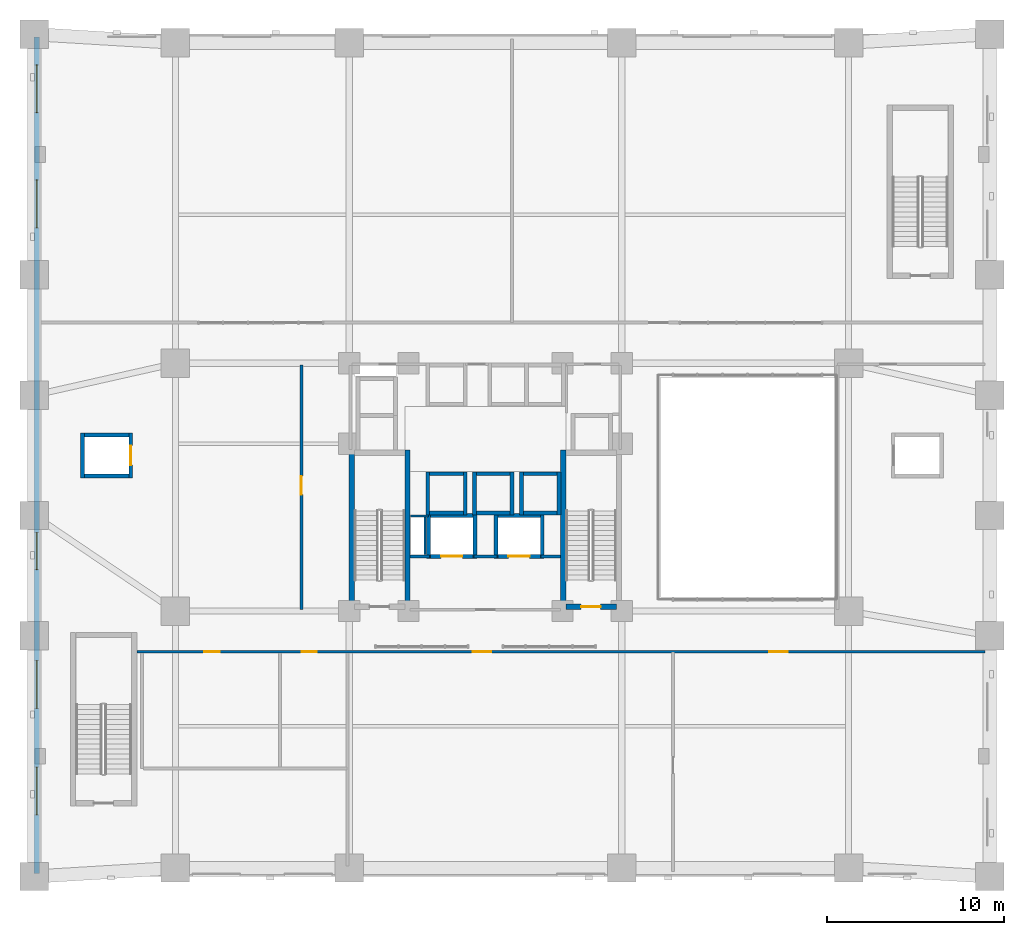
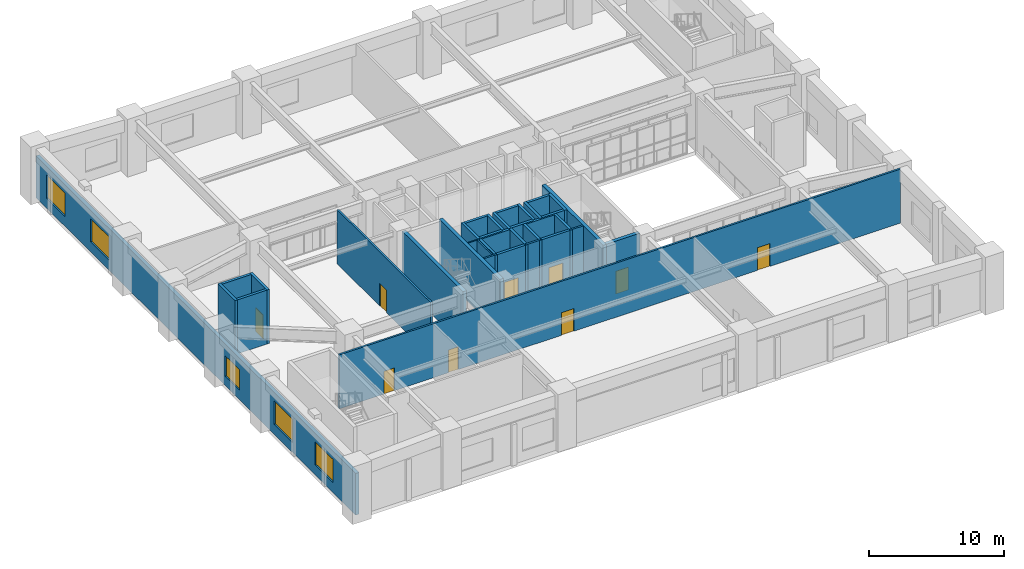
# One storey, part 8 of 14: 36 walls, 9 doors, 5 windows, 14 openings.
"""IFC4 building model written with IfcOpenShell, lengths in metres."""

import ifcopenshell
import ifcopenshell.guid

model = None  # the IFC model being written
_history = None  # IfcOwnerHistory: only IFC2X3 demands one
_inside = {}  # id of a spatial element -> (the spatial element, [elements in it])
_under = {}  # id of a project, library or spatial element -> (it, [spatial elements below it])
_declared = {}  # id of a project -> (the project, [libraries it declares])
_typed = {}  # id of a type object -> (the type object, [elements of that type])
_made_of = {}  # id of a material, layer set ... -> (it, [elements and type objects made of it])


def new_model(schema):
    """Start an empty IFC model of exactly this schema.

    Asked for "IFC4X3", IfcOpenShell would pick the latest addendum, in which some entities
    have other attributes; the version numbers below select the first issue.
    IFC2X3 requires an IfcOwnerHistory on every rooted entity: one is made here for all.
    """
    global model, _history
    if schema == "IFC4X3":
        model = ifcopenshell.file(schema_version=(4, 3, 0, 0))
    else:
        model = ifcopenshell.file(schema=schema)
    _inside.clear()
    _under.clear()
    _declared.clear()
    _typed.clear()
    _made_of.clear()
    _history = None
    if model.schema == "IFC2X3":
        org = make("IfcOrganization", Name="unknown")
        user = make(
            "IfcPersonAndOrganization",
            ThePerson=make("IfcPerson", FamilyName="unknown"),
            TheOrganization=org,
        )
        app = make(
            "IfcApplication",
            ApplicationDeveloper=org,
            Version="unknown",
            ApplicationFullName="unknown",
            ApplicationIdentifier="unknown",
        )
        _history = make(
            "IfcOwnerHistory",
            OwningUser=user,
            OwningApplication=app,
            ChangeAction="ADDED",
            CreationDate=0,
        )
    return model


def make(cls, **values):
    """One entity of the class cls with the attributes given. An attribute that is None is left unset."""
    return model.create_entity(
        cls, **{name: value for name, value in values.items() if value is not None}
    )


def rooted(cls, **values):
    """An entity with a GlobalId (a new one), such as an element, a storey or a relation."""
    return make(cls, GlobalId=ifcopenshell.guid.new(), OwnerHistory=_history, **values)


def si_unit(unit_type, name, prefix=None):
    """IfcSIUnit, for example si_unit("LENGTHUNIT", "METRE", prefix="MILLI")."""
    return make("IfcSIUnit", UnitType=unit_type, Prefix=prefix, Name=name)


def derived_unit(unit_type, elements):
    """IfcDerivedUnit: a product of units, each with its exponent."""
    return make(
        "IfcDerivedUnit",
        Elements=[
            make("IfcDerivedUnitElement", Unit=unit, Exponent=power)
            for unit, power in elements
        ],
        UnitType=unit_type,
    )


def assignment(units):
    """IfcUnitAssignment: the units of a project."""
    return None if units is None else make("IfcUnitAssignment", Units=units)


def point(xyz):
    """IfcCartesianPoint."""
    return None if xyz is None else make("IfcCartesianPoint", Coordinates=xyz)


def direction(xyz):
    """IfcDirection."""
    return None if xyz is None else make("IfcDirection", DirectionRatios=xyz)


def frame(location, z_axis=None, x_axis=None):
    """IfcAxis2Placement3D, a coordinate frame: its origin and axes. An axis left out is left unset."""
    return make(
        "IfcAxis2Placement3D",
        Location=point(location),
        Axis=direction(z_axis),
        RefDirection=direction(x_axis),
    )


def frame_2d(location, x_axis=None):
    """IfcAxis2Placement2D, a coordinate frame in the plane: its origin and x axis."""
    return make(
        "IfcAxis2Placement2D", Location=point(location), RefDirection=direction(x_axis)
    )


def origin():
    """The frame at (0, 0, 0) with its axes left unset."""
    return frame((0.0, 0.0, 0.0))


def place(relative_to, where):
    """IfcLocalPlacement: puts the frame where relative to a parent placement (None: the world)."""
    return make(
        "IfcLocalPlacement", PlacementRelTo=relative_to, RelativePlacement=where
    )


def context(
    kind, dimensions, precision=None, world=None, true_north=None, identifier=None
):
    """IfcGeometricRepresentationContext, for example the 3D "Model" context."""
    return make(
        "IfcGeometricRepresentationContext",
        ContextIdentifier=identifier,
        ContextType=kind,
        CoordinateSpaceDimension=dimensions,
        Precision=precision,
        WorldCoordinateSystem=world,
        TrueNorth=true_north,
    )


def subcontext(parent, identifier, kind, view, scale=None):
    """IfcGeometricRepresentationSubContext, for example "Body" below "Model"."""
    return make(
        "IfcGeometricRepresentationSubContext",
        ContextIdentifier=identifier,
        ContextType=kind,
        ParentContext=parent,
        TargetScale=scale,
        TargetView=view,
    )


def project(units=None, contexts=None):
    """IfcProject with its units and contexts."""
    return rooted(
        "IfcProject",
        Name="project",
        RepresentationContexts=contexts,
        UnitsInContext=assignment(units),
    )


def spatial(cls, under=None, at=None, **own):
    """A site, building, storey or space (cls), placed at a placement, below another one or the project."""
    s = rooted(cls, ObjectPlacement=at, **own)
    if under is not None:
        _under.setdefault(under.id(), (under, []))[1].append(s)
    return s


def profile(cls, at=None, kind="AREA", **sizes):
    """A parametric profile (cls). Its sizes go by their IFC names, for example OverallWidth=200.0."""
    return make(cls, ProfileType=kind, Position=at, **sizes)


def rectangle(**sizes):
    """IfcRectangleProfileDef."""
    return profile("IfcRectangleProfileDef", **sizes)


def extrude(swept, where, along, depth):
    """IfcExtrudedAreaSolid: the profile swept, set in the frame where, extruded along a direction by depth."""
    return make(
        "IfcExtrudedAreaSolid",
        SweptArea=swept,
        Position=where,
        ExtrudedDirection=direction(along),
        Depth=depth,
    )


def shape(context_of_items, identifier, shape_type, items):
    """IfcShapeRepresentation: the items that make up one representation, for example the "Body"."""
    return make(
        "IfcShapeRepresentation",
        ContextOfItems=context_of_items,
        RepresentationIdentifier=identifier,
        RepresentationType=shape_type,
        Items=items,
    )


def material(Name=None, Category=None):
    """IfcMaterial."""
    return make("IfcMaterial", Name=Name, Category=Category)


def layer(
    of_material, thickness, ventilated=None, Name=None, Category=None, Priority=None
):
    """IfcMaterialLayer: one layer of a wall or slab, of a material (None: an air gap)."""
    return make(
        "IfcMaterialLayer",
        Material=of_material,
        LayerThickness=thickness,
        IsVentilated=ventilated,
        Name=Name,
        Category=Category,
        Priority=Priority,
    )


def layer_set(layers, Name=None):
    """IfcMaterialLayerSet."""
    return make("IfcMaterialLayerSet", MaterialLayers=layers, LayerSetName=Name)


def made_of(thing, what):
    """Note that an element or type object is made of a material, layer set ...; save() writes the relation."""
    if what is not None:
        _made_of.setdefault(what.id(), (what, []))[1].append(thing)
    return thing


def type_object(cls, material=None, **own):
    """A type object (cls), such as IfcWallType, which elements share."""
    return made_of(rooted(cls, **own), material)


def element(
    cls,
    number,
    at=None,
    inside=None,
    cuts=None,
    type_object=None,
    material=None,
    context=None,
    identifier="Body",
    shape_type=None,
    held_by="IfcProductDefinitionShape",
    body=None,
    shapes=None,
    **own,
):
    """One element of the class cls, such as IfcWall. Its Tag is "e" and its number.

    at: its placement. inside: the storey or other place that contains it. cuts: it is an
    opening in that element (IfcRelVoidsElement). A single representation is given by context,
    identifier, shape_type and body (its items); several are given by shapes. held_by: the class
    of the entity that holds the representations. save() writes the other relations.
    """
    e = rooted(cls, Tag="e%d" % number, ObjectPlacement=at, **own)
    if body is not None:
        shapes = [shape(context, identifier, shape_type, body)]
    if shapes is not None:
        e.Representation = make(held_by, Representations=shapes)
    if inside is not None:
        _inside.setdefault(inside.id(), (inside, []))[1].append(e)
    if cuts is not None:
        rooted(
            "IfcRelVoidsElement", RelatingBuildingElement=cuts, RelatedOpeningElement=e
        )
    if type_object is not None:
        _typed.setdefault(type_object.id(), (type_object, []))[1].append(e)
    return made_of(e, material)


def fill(opening, filler):
    """IfcRelFillsElement: the door or window that sits in an opening."""
    return rooted(
        "IfcRelFillsElement",
        RelatingOpeningElement=opening,
        RelatedBuildingElement=filler,
    )


def aggregate(whole, parts):
    """IfcRelAggregates: a whole, such as a stair, and the parts it consists of."""
    return rooted("IfcRelAggregates", RelatingObject=whole, RelatedObjects=parts)


def save(model, path):
    """Write the relations noted so far, then the file.

    IfcRelAggregates (storeys below a building ...), IfcRelContainedInSpatialStructure (elements
    in a storey), IfcRelDefinesByType, IfcRelAssociatesMaterial and IfcRelDeclares: one each for
    every whole, place, type object, material and project.
    """
    for whole, parts in _under.values():
        aggregate(whole, parts)
    for where, things in _inside.values():
        rooted(
            "IfcRelContainedInSpatialStructure",
            RelatedElements=things,
            RelatingStructure=where,
        )
    for kind, things in _typed.values():
        rooted("IfcRelDefinesByType", RelatedObjects=things, RelatingType=kind)
    for what, things in _made_of.values():
        rooted("IfcRelAssociatesMaterial", RelatedObjects=things, RelatingMaterial=what)
    for by, libraries in _declared.values():
        rooted("IfcRelDeclares", RelatingContext=by, RelatedDefinitions=libraries)
    model.write(path)


model = new_model("IFC4")

# Units and contexts
model_context = context("Model", 3, precision=1e-05, world=origin(), true_north=direction((0.0, 1.0)))
body_context = subcontext(model_context, "Body", "Model", "MODEL_VIEW")
ifc_project = project(units=[si_unit("LENGTHUNIT", "METRE"), si_unit("AREAUNIT", "SQUARE_METRE"), si_unit("VOLUMEUNIT", "CUBIC_METRE"), si_unit("PLANEANGLEUNIT", "RADIAN"), si_unit("MASSUNIT", "GRAM", prefix="KILO"), derived_unit("THERMALTRANSMITTANCEUNIT", [(si_unit("MASSUNIT", "GRAM", prefix="KILO"), 1), (si_unit("TIMEUNIT", "SECOND"), -3), (si_unit("THERMODYNAMICTEMPERATUREUNIT", "KELVIN"), -1)])], contexts=[model_context])

# Site, building, storey
site_placement = place(None, origin())
site = spatial("IfcSite", under=ifc_project, at=site_placement, CompositionType="ELEMENT")
building_placement = place(site_placement, origin())
building = spatial("IfcBuilding", under=site, at=building_placement, Name="Korrvale Station Residences", CompositionType="ELEMENT")
storey_placement = place(building_placement, frame((0.0, 0.0, 6.0)))
storey = spatial("IfcBuildingStorey", under=building, at=storey_placement, Name="L01", CompositionType="ELEMENT", Elevation=6.0)

# Walls
ifc_material_1 = material(Name="Concrete C70/85", Category="concrete")
ifc_layer_1 = layer(ifc_material_1, 0.300048828125, Name="Concrete C70/85")
ifc_layer_set_1 = layer_set([ifc_layer_1], Name="Concrete C70/85")
wall_type_1 = type_object("IfcWallType", Name="WAL-CORE-300-C70", PredefinedType="SHEAR", material=ifc_layer_set_1)
for number, where, z_axis, x_axis, name in (
    (1, (17.949951171875, 15.10009765625, 0.0), (0.0, 0.0, 1.0), (0.0, 1.0, 0.0), "L01 ST-1 Core Shear Wall West"),
    (2, (21.10009765625, 15.10009765625, 0.0), (0.0, 0.0, 1.0), (0.0, 1.0, 0.0), "L01 ST-1 Core Shear Wall East"),
    (3, (29.89990234375, 15.10009765625, 0.0), (0.0, 0.0, 1.0), (0.0, 1.0, 0.0), "L01 ST-2 Core Shear Wall West"),
):
    element("IfcWall", number, at=place(storey_placement, frame(where, z_axis=z_axis, x_axis=x_axis)), inside=storey, type_object=wall_type_1, Name=name, PredefinedType="SHEAR", context=body_context, shape_type="SweptSolid", body=[
        extrude(rectangle(XDim=9.0, YDim=0.300048828125, at=frame_2d((4.5, 0.0))), origin(), (0.0, 0.0, 1.0), 4.8798828125),
    ])

# Wall, opening, door
wall_1_placement = place(storey_placement, frame((30.050048828125, 15.25, 0.0), z_axis=(0.0, 0.0, 1.0), x_axis=(1.0, 0.0, 0.0)))
wall_1 = element("IfcWall", 4, at=wall_1_placement, inside=storey, type_object=wall_type_1, Name="L01 ST-2 Core Shear Wall South", PredefinedType="SHEAR", context=body_context, shape_type="SweptSolid", body=[
    extrude(rectangle(XDim=2.849853515625, YDim=0.300048828125, at=frame_2d((1.4248046875, 0.0))), origin(), (0.0, 0.0, 1.0), 4.8798828125),
])
opening_1_placement = place(wall_1_placement, frame((0.860107421875, 0.0, 0.0)))
opening_1 = element("IfcOpeningElement", 5, at=opening_1_placement, cuts=wall_1, Name="Opening SD-1100", PredefinedType="OPENING", context=body_context, shape_type="SweptSolid", body=[
    extrude(rectangle(XDim=1.10009765625, YDim=2.050048828125, at=frame_2d((0.550048828125, 1.02490234375))), frame((0.0, 0.16015625, 0.0), z_axis=(0.0, -1.0, 0.0), x_axis=(1.0, 0.0, 0.0)), (0.0, 0.0, 1.0), 0.320068359375),
])
ifc_material_2 = material(Name="Hollow-metal fire-rated stair door with closer", Category="steel")
door_type_1 = type_object("IfcDoorType", Name="DR-STAIR-1100", OperationType="NOTDEFINED", PredefinedType="DOOR", material=ifc_material_2)
door_1_placement = place(opening_1_placement, origin())
door_1 = element("IfcDoor", 6, at=door_1_placement, inside=storey, type_object=door_type_1, Name="L01 ST-2 Exit Stair Door", OperationType="SINGLE_SWING_RIGHT", OverallHeight=2.050048828125, OverallWidth=1.10009765625, PredefinedType="DOOR", context=body_context, shape_type="SweptSolid", body=[
    extrude(rectangle(XDim=1.10009765625, YDim=2.050048828125, at=frame_2d((0.550048828125, 1.02490234375))), frame((0.0, 0.02490234375, 0.0), z_axis=(0.0, -1.0, 0.0), x_axis=(1.0, 0.0, 0.0)), (0.0, 0.0, 1.0), 0.050048828125),
])
fill(opening_1, door_1)

# Wall, openings, windows
ifc_material_3 = material(Name="Precast concrete C45/55", Category="concrete")
ifc_layer_2 = layer(ifc_material_3, 0.300048828125, Name="Precast concrete C45/55")
ifc_layer_set_2 = layer_set([ifc_layer_2], Name="Precast concrete C45/55")
wall_type_2 = type_object("IfcWallType", Name="WAL-EXT-PC300", PredefinedType="SOLIDWALL", material=ifc_layer_set_2)
wall_2_placement = place(storey_placement, frame((0.14990234375, 0.159912109375, 0.0), z_axis=(0.0, 0.0, 1.0), x_axis=(0.0, 1.0, 0.0)))
wall_2 = element("IfcWall", 7, at=wall_2_placement, inside=storey, type_object=wall_type_2, Name="L01 West Exterior Precast Wall 1", PredefinedType="SOLIDWALL", context=body_context, shape_type="SweptSolid", body=[
    extrude(rectangle(XDim=47.280029296875, YDim=0.300048828125, at=frame_2d((23.64013671875, 0.0))), origin(), (0.0, 0.0, 1.0), 3.764892578125),
])
opening_2_placement = place(wall_2_placement, frame((3.330078125, 0.0, 0.89990234375)))
opening_2 = element("IfcOpeningElement", 8, at=opening_2_placement, cuts=wall_2, Name="Opening W-07", PredefinedType="OPENING", context=body_context, shape_type="SweptSolid", body=[
    extrude(rectangle(XDim=2.699951171875, YDim=2.10009765625, at=frame_2d((1.35009765625, 1.050048828125))), frame((0.0, 0.16015625, 0.0), z_axis=(0.0, -1.0, 0.0), x_axis=(1.0, 0.0, 0.0)), (0.0, 0.0, 1.0), 0.320068359375),
])
opening_3_placement = place(wall_2_placement, frame((9.340087890625, 0.0, 0.89990234375)))
opening_3 = element("IfcOpeningElement", 9, at=opening_3_placement, cuts=wall_2, Name="Opening W-07", PredefinedType="OPENING", context=body_context, shape_type="SweptSolid", body=[
    extrude(rectangle(XDim=2.699951171875, YDim=2.10009765625, at=frame_2d((1.35009765625, 1.050048828125))), frame((0.0, 0.16015625, 0.0), z_axis=(0.0, -1.0, 0.0), x_axis=(1.0, 0.0, 0.0)), (0.0, 0.0, 1.0), 0.320068359375),
])
opening_4_placement = place(wall_2_placement, frame((17.179931640625, 0.0, 0.85009765625)))
opening_4 = element("IfcOpeningElement", 10, at=opening_4_placement, cuts=wall_2, Name="Opening W-02", PredefinedType="OPENING", context=body_context, shape_type="SweptSolid", body=[
    extrude(rectangle(XDim=2.10009765625, YDim=1.85009765625, at=frame_2d((1.050048828125, 0.925048828125))), frame((0.0, 0.16015625, 0.0), z_axis=(0.0, -1.0, 0.0), x_axis=(1.0, 0.0, 0.0)), (0.0, 0.0, 1.0), 0.320068359375),
])
opening_5_placement = place(wall_2_placement, frame((36.5, 0.0, 0.89990234375)))
opening_5 = element("IfcOpeningElement", 11, at=opening_5_placement, cuts=wall_2, Name="Opening W-07", PredefinedType="OPENING", context=body_context, shape_type="SweptSolid", body=[
    extrude(rectangle(XDim=2.699951171875, YDim=2.10009765625, at=frame_2d((1.35009765625, 1.050048828125))), frame((0.0, 0.16015625, 0.0), z_axis=(0.0, -1.0, 0.0), x_axis=(1.0, 0.0, 0.0)), (0.0, 0.0, 1.0), 0.320068359375),
])
opening_6_placement = place(wall_2_placement, frame((43.0, 0.0, 0.89990234375)))
opening_6 = element("IfcOpeningElement", 12, at=opening_6_placement, cuts=wall_2, Name="Opening W-07", PredefinedType="OPENING", context=body_context, shape_type="SweptSolid", body=[
    extrude(rectangle(XDim=2.699951171875, YDim=2.10009765625, at=frame_2d((1.35009765625, 1.050048828125))), frame((0.0, 0.16015625, 0.0), z_axis=(0.0, -1.0, 0.0), x_axis=(1.0, 0.0, 0.0)), (0.0, 0.0, 1.0), 0.320068359375),
])
ifc_material_4 = material(Name="Thermally broken aluminium frame with triple low-e glazing", Category="aluminium")
window_type_1 = type_object("IfcWindowType", Name="WIN-W02", PartitioningType="DOUBLE_PANEL_VERTICAL", PredefinedType="WINDOW", material=ifc_material_4)
window_1_placement = place(opening_4_placement, origin())
window_1 = element("IfcWindow", 13, at=window_1_placement, inside=storey, type_object=window_type_1, Name="L01 Station Concourse Punched Window 18", OverallHeight=1.85009765625, OverallWidth=2.10009765625, PartitioningType="DOUBLE_PANEL_VERTICAL", PredefinedType="WINDOW", context=body_context, shape_type="SweptSolid", body=[
    extrude(rectangle(XDim=2.10009765625, YDim=1.85009765625, at=frame_2d((1.050048828125, 0.925048828125))), frame((0.0, 0.030029296875, 0.0), z_axis=(0.0, -1.0, 0.0), x_axis=(1.0, 0.0, 0.0)), (0.0, 0.0, 1.0), 0.06005859375),
])
fill(opening_4, window_1)
window_type_2 = type_object("IfcWindowType", Name="WIN-W07", PartitioningType="TRIPLE_PANEL_VERTICAL", PredefinedType="WINDOW", material=ifc_material_4)
window_2_placement = place(opening_2_placement, origin())
window_2 = element("IfcWindow", 14, at=window_2_placement, inside=storey, type_object=window_type_2, Name="L01 Station Concourse Punched Window 16", OverallHeight=2.10009765625, OverallWidth=2.699951171875, PartitioningType="TRIPLE_PANEL_VERTICAL", PredefinedType="WINDOW", context=body_context, shape_type="SweptSolid", body=[
    extrude(rectangle(XDim=2.699951171875, YDim=2.10009765625, at=frame_2d((1.35009765625, 1.050048828125))), frame((0.0, 0.030029296875, 0.0), z_axis=(0.0, -1.0, 0.0), x_axis=(1.0, 0.0, 0.0)), (0.0, 0.0, 1.0), 0.06005859375),
])
fill(opening_2, window_2)
window_3_placement = place(opening_3_placement, origin())
window_3 = element("IfcWindow", 15, at=window_3_placement, inside=storey, type_object=window_type_2, Name="L01 Station Concourse Punched Window 17", OverallHeight=2.10009765625, OverallWidth=2.699951171875, PartitioningType="TRIPLE_PANEL_VERTICAL", PredefinedType="WINDOW", context=body_context, shape_type="SweptSolid", body=[
    extrude(rectangle(XDim=2.699951171875, YDim=2.10009765625, at=frame_2d((1.35009765625, 1.050048828125))), frame((0.0, 0.030029296875, 0.0), z_axis=(0.0, -1.0, 0.0), x_axis=(1.0, 0.0, 0.0)), (0.0, 0.0, 1.0), 0.06005859375),
])
fill(opening_3, window_3)
window_4_placement = place(opening_5_placement, origin())
window_4 = element("IfcWindow", 16, at=window_4_placement, inside=storey, type_object=window_type_2, Name="L01 Station Concourse Punched Window 19", OverallHeight=2.10009765625, OverallWidth=2.699951171875, PartitioningType="TRIPLE_PANEL_VERTICAL", PredefinedType="WINDOW", context=body_context, shape_type="SweptSolid", body=[
    extrude(rectangle(XDim=2.699951171875, YDim=2.10009765625, at=frame_2d((1.35009765625, 1.050048828125))), frame((0.0, 0.030029296875, 0.0), z_axis=(0.0, -1.0, 0.0), x_axis=(1.0, 0.0, 0.0)), (0.0, 0.0, 1.0), 0.06005859375),
])
fill(opening_5, window_4)
window_5_placement = place(opening_6_placement, origin())
window_5 = element("IfcWindow", 17, at=window_5_placement, inside=storey, type_object=window_type_2, Name="L01 Station Concourse Punched Window 20", OverallHeight=2.10009765625, OverallWidth=2.699951171875, PartitioningType="TRIPLE_PANEL_VERTICAL", PredefinedType="WINDOW", context=body_context, shape_type="SweptSolid", body=[
    extrude(rectangle(XDim=2.699951171875, YDim=2.10009765625, at=frame_2d((1.35009765625, 1.050048828125))), frame((0.0, 0.030029296875, 0.0), z_axis=(0.0, -1.0, 0.0), x_axis=(1.0, 0.0, 0.0)), (0.0, 0.0, 1.0), 0.06005859375),
])
fill(opening_6, window_5)

# Walls
ifc_material_5 = material(Name="Acoustic steel-stud gypsum board partition", Category="steel")
ifc_layer_3 = layer(ifc_material_5, 0.1201171875, Name="Acoustic steel-stud gypsum board partition")
ifc_layer_set_3 = layer_set([ifc_layer_3], Name="Acoustic steel-stud gypsum board partition")
wall_type_3 = type_object("IfcWallType", Name="WAL-PART-125", PredefinedType="PARTITIONING", material=ifc_layer_set_3)
wall_3_placement = place(storey_placement, frame((22.080078125, 18.199951171875, 0.0), z_axis=(0.0, 0.0, 1.0), x_axis=(0.0, 1.0, 0.0)))
element("IfcWall", 18, at=wall_3_placement, inside=storey, type_object=wall_type_3, Name="L01 Core Partition CW-RSWT", PredefinedType="PARTITIONING", context=body_context, shape_type="SweptSolid", body=[
    extrude(rectangle(XDim=2.1201171875, YDim=0.1201171875, at=frame_2d((1.06005859375, 0.0))), origin(), (0.0, 0.0, 1.0), 4.8798828125),
])
wall_4_placement = place(storey_placement, frame((22.280029296875, 20.3798828125, 0.0), z_axis=(0.0, 0.0, 1.0), x_axis=(-1.0, 0.0, 0.0)))
element("IfcWall", 19, at=wall_4_placement, inside=storey, type_object=wall_type_3, Name="L01 Core Partition CW-RSWT-N", PredefinedType="PARTITIONING", context=body_context, shape_type="SweptSolid", body=[
    extrude(rectangle(XDim=1.02001953125, YDim=0.1201171875, at=frame_2d((0.510009765625, 0.0))), origin(), (0.0, 0.0, 1.0), 4.8798828125),
])
ifc_material_6 = material(Name="Fire-rated twin-stud gypsum and mineral wool shaftwall assembly", Category="gypsum")
ifc_layer_4 = layer(ifc_material_6, 0.159912109375, Name="Fire-rated twin-stud gypsum and mineral wool shaftwall assembly")
ifc_layer_set_4 = layer_set([ifc_layer_4], Name="Fire-rated twin-stud gypsum and mineral wool shaftwall assembly")
wall_type_4 = type_object("IfcWallType", Name="WAL-PART-200", PredefinedType="PARTITIONING", material=ifc_layer_set_4)
wall_5_placement = place(storey_placement, frame((21.25, 18.080078125, 0.0), z_axis=(0.0, 0.0, 1.0), x_axis=(1.0, 0.0, 0.0)))
element("IfcWall", 20, at=wall_5_placement, inside=storey, type_object=wall_type_4, Name="L01 Core Partition CW-FFL-N1", PredefinedType="PARTITIONING", context=body_context, shape_type="SweptSolid", body=[
    extrude(rectangle(XDim=1.10009765625, YDim=0.159912109375, at=frame_2d((0.550048828125, 0.0))), origin(), (0.0, 0.0, 1.0), 4.8798828125),
])
wall_6_placement = place(storey_placement, frame((24.85009765625, 18.080078125, 0.0), z_axis=(0.0, 0.0, 1.0), x_axis=(1.0, 0.0, 0.0)))
element("IfcWall", 21, at=wall_6_placement, inside=storey, type_object=wall_type_4, Name="L01 Core Partition CW-FFL-N2", PredefinedType="PARTITIONING", context=body_context, shape_type="SweptSolid", body=[
    extrude(rectangle(XDim=1.2998046875, YDim=0.159912109375, at=frame_2d((0.64990234375, 0.0))), origin(), (0.0, 0.0, 1.0), 4.8798828125),
])
wall_7_placement = place(storey_placement, frame((28.64990234375, 18.080078125, 0.0), z_axis=(0.0, 0.0, 1.0), x_axis=(1.0, 0.0, 0.0)))
element("IfcWall", 22, at=wall_7_placement, inside=storey, type_object=wall_type_4, Name="L01 Core Partition CW-FFL-N3", PredefinedType="PARTITIONING", context=body_context, shape_type="SweptSolid", body=[
    extrude(rectangle(XDim=1.10009765625, YDim=0.159912109375, at=frame_2d((0.550048828125, 0.0))), origin(), (0.0, 0.0, 1.0), 4.8798828125),
])

# Wall, openings, doors
wall_8_placement = place(storey_placement, frame((5.800048828125, 12.699951171875, 0.0), z_axis=(0.0, 0.0, 1.0), x_axis=(1.0, 0.0, 0.0)))
wall_8 = element("IfcWall", 23, at=wall_8_placement, inside=storey, type_object=wall_type_4, Name="L01 Interior Partition W-PS", PredefinedType="PARTITIONING", context=body_context, shape_type="SweptSolid", body=[
    extrude(rectangle(XDim=47.919921875, YDim=0.159912109375, at=frame_2d((23.9599609375, 0.0))), origin(), (0.0, 0.0, 1.0), 4.8798828125),
])
opening_7_placement = place(wall_8_placement, frame((3.800048828125, 0.0, 0.0)))
opening_7 = element("IfcOpeningElement", 24, at=opening_7_placement, cuts=wall_8, Name="Opening DI-900", PredefinedType="OPENING", context=body_context, shape_type="SweptSolid", body=[
    extrude(rectangle(XDim=0.89990234375, YDim=2.050048828125, at=frame_2d((0.449951171875, 1.02490234375))), frame((0.0, 0.08984375, 0.0), z_axis=(0.0, -1.0, 0.0), x_axis=(1.0, 0.0, 0.0)), (0.0, 0.0, 1.0), 0.179931640625),
])
opening_8_placement = place(wall_8_placement, frame((9.320068359375, 0.0, 0.0)))
opening_8 = element("IfcOpeningElement", 25, at=opening_8_placement, cuts=wall_8, Name="Opening DB-860", PredefinedType="OPENING", context=body_context, shape_type="SweptSolid", body=[
    extrude(rectangle(XDim=0.860107421875, YDim=2.050048828125, at=frame_2d((0.43017578125, 1.02490234375))), frame((0.0, 0.08984375, 0.0), z_axis=(0.0, -1.0, 0.0), x_axis=(1.0, 0.0, 0.0)), (0.0, 0.0, 1.0), 0.179931640625),
])
opening_9_placement = place(wall_8_placement, frame((18.97509765625, 0.0, 0.0)))
opening_9 = element("IfcOpeningElement", 26, at=opening_9_placement, cuts=wall_8, Name="Opening FD-1050", PredefinedType="OPENING", context=body_context, shape_type="SweptSolid", body=[
    extrude(rectangle(XDim=1.050048828125, YDim=2.050048828125, at=frame_2d((0.52490234375, 1.02490234375))), frame((0.0, 0.08984375, 0.0), z_axis=(0.0, -1.0, 0.0), x_axis=(1.0, 0.0, 0.0)), (0.0, 0.0, 1.0), 0.179931640625),
])
opening_10_placement = place(wall_8_placement, frame((35.72509765625, 0.0, 0.0)))
opening_10 = element("IfcOpeningElement", 27, at=opening_10_placement, cuts=wall_8, Name="Opening FD-1050", PredefinedType="OPENING", context=body_context, shape_type="SweptSolid", body=[
    extrude(rectangle(XDim=1.050048828125, YDim=2.050048828125, at=frame_2d((0.52490234375, 1.02490234375))), frame((0.0, 0.08984375, 0.0), z_axis=(0.0, -1.0, 0.0), x_axis=(1.0, 0.0, 0.0)), (0.0, 0.0, 1.0), 0.179931640625),
])
ifc_material_7 = material(Name="Moisture-resistant solid-core bathroom door", Category="timber")
door_type_2 = type_object("IfcDoorType", Name="DR-BATH-860", OperationType="NOTDEFINED", PredefinedType="DOOR", material=ifc_material_7)
door_2_placement = place(opening_8_placement, origin())
door_2 = element("IfcDoor", 28, at=door_2_placement, inside=storey, type_object=door_type_2, Name="L01 Universal Washroom Door", OperationType="SINGLE_SWING_RIGHT", OverallHeight=2.050048828125, OverallWidth=0.860107421875, PredefinedType="DOOR", context=body_context, shape_type="SweptSolid", body=[
    extrude(rectangle(XDim=0.860107421875, YDim=2.050048828125, at=frame_2d((0.43017578125, 1.02490234375))), frame((0.0, 0.02490234375, 0.0), z_axis=(0.0, -1.0, 0.0), x_axis=(1.0, 0.0, 0.0)), (0.0, 0.0, 1.0), 0.050048828125),
])
fill(opening_8, door_2)
ifc_material_8 = material(Name="Fire-rated mineral-core timber lobby door", Category="wood")
door_type_3 = type_object("IfcDoorType", Name="DR-CORE-1050", OperationType="NOTDEFINED", PredefinedType="DOOR", material=ifc_material_8)
door_3_placement = place(opening_9_placement, origin())
door_3 = element("IfcDoor", 29, at=door_3_placement, inside=storey, type_object=door_type_3, Name="L01 South Hall Entry Door 1", OperationType="SINGLE_SWING_LEFT", OverallHeight=2.050048828125, OverallWidth=1.050048828125, PredefinedType="DOOR", context=body_context, shape_type="SweptSolid", body=[
    extrude(rectangle(XDim=1.050048828125, YDim=2.050048828125, at=frame_2d((0.52490234375, 1.02490234375))), frame((0.0, 0.02490234375, 0.0), z_axis=(0.0, -1.0, 0.0), x_axis=(1.0, 0.0, 0.0)), (0.0, 0.0, 1.0), 0.050048828125),
])
fill(opening_9, door_3)
door_4_placement = place(opening_10_placement, origin())
door_4 = element("IfcDoor", 30, at=door_4_placement, inside=storey, type_object=door_type_3, Name="L01 South Hall Entry Door 2", OperationType="SINGLE_SWING_RIGHT", OverallHeight=2.050048828125, OverallWidth=1.050048828125, PredefinedType="DOOR", context=body_context, shape_type="SweptSolid", body=[
    extrude(rectangle(XDim=1.050048828125, YDim=2.050048828125, at=frame_2d((0.52490234375, 1.02490234375))), frame((0.0, 0.02490234375, 0.0), z_axis=(0.0, -1.0, 0.0), x_axis=(1.0, 0.0, 0.0)), (0.0, 0.0, 1.0), 0.050048828125),
])
fill(opening_10, door_4)
ifc_material_9 = material(Name="Painted solid-core timber interior room door", Category="wood")
door_type_4 = type_object("IfcDoorType", Name="DR-INT-900", OperationType="NOTDEFINED", PredefinedType="DOOR", material=ifc_material_9)
door_5_placement = place(opening_7_placement, origin())
door_5 = element("IfcDoor", 31, at=door_5_placement, inside=storey, type_object=door_type_4, Name="L01 Podium Public Washrooms Door", OperationType="SINGLE_SWING_LEFT", OverallHeight=2.050048828125, OverallWidth=0.89990234375, PredefinedType="DOOR", context=body_context, shape_type="SweptSolid", body=[
    extrude(rectangle(XDim=0.89990234375, YDim=2.050048828125, at=frame_2d((0.449951171875, 1.02490234375))), frame((0.0, 0.02490234375, 0.0), z_axis=(0.0, -1.0, 0.0), x_axis=(1.0, 0.0, 0.0)), (0.0, 0.0, 1.0), 0.050048828125),
])
fill(opening_7, door_5)

# Wall, opening, door
wall_9_placement = place(storey_placement, frame((15.10009765625, 15.10009765625, 0.0), z_axis=(0.0, 0.0, 1.0), x_axis=(0.0, 1.0, 0.0)))
wall_9 = element("IfcWall", 32, at=wall_9_placement, inside=storey, type_object=wall_type_4, Name="L01 Interior Partition W-PW", PredefinedType="PARTITIONING", context=body_context, shape_type="SweptSolid", body=[
    extrude(rectangle(XDim=13.7998046875, YDim=0.159912109375, at=frame_2d((6.89990234375, 0.0))), origin(), (0.0, 0.0, 1.0), 4.8798828125),
])
opening_11_placement = place(wall_9_placement, frame((6.47509765625, 0.0, 0.0)))
opening_11 = element("IfcOpeningElement", 33, at=opening_11_placement, cuts=wall_9, Name="Opening FD-1050", PredefinedType="OPENING", context=body_context, shape_type="SweptSolid", body=[
    extrude(rectangle(XDim=1.050048828125, YDim=2.050048828125, at=frame_2d((0.52490234375, 1.02490234375))), frame((0.0, 0.08984375, 0.0), z_axis=(0.0, -1.0, 0.0), x_axis=(1.0, 0.0, 0.0)), (0.0, 0.0, 1.0), 0.179931640625),
])
door_6_placement = place(opening_11_placement, origin())
door_6 = element("IfcDoor", 34, at=door_6_placement, inside=storey, type_object=door_type_3, Name="L01 West Suite Entry Door", OperationType="SINGLE_SWING_LEFT", OverallHeight=2.050048828125, OverallWidth=1.050048828125, PredefinedType="DOOR", context=body_context, shape_type="SweptSolid", body=[
    extrude(rectangle(XDim=1.050048828125, YDim=2.050048828125, at=frame_2d((0.52490234375, 1.02490234375))), frame((0.0, 0.02490234375, 0.0), z_axis=(0.0, -1.0, 0.0), x_axis=(1.0, 0.0, 0.0)), (0.0, 0.0, 1.0), 0.050048828125),
])
fill(opening_11, door_6)

# Walls
ifc_layer_5 = layer(ifc_material_1, 0.219970703125, Name="Concrete C70/85")
ifc_layer_set_5 = layer_set([ifc_layer_5], Name="Concrete C70/85")
wall_type_5 = type_object("IfcWallType", Name="WAL-SHAFT-220-C70", PredefinedType="SHEAR", material=ifc_layer_set_5)
for number, where, z_axis, x_axis, name in (
    (35, (22.35009765625, 20.5400390625, 0.0), (0.0, 0.0, 1.0), (1.0, 0.0, 0.0), "L01 Elevator PM-1 Hoistway Wall South"),
    (36, (22.35009765625, 22.760009765625, 0.0), (0.0, 0.0, 1.0), (1.0, 0.0, 0.0), "L01 Elevator PM-1 Hoistway Wall North"),
):
    element("IfcWall", number, at=place(storey_placement, frame(where, z_axis=z_axis, x_axis=x_axis)), inside=storey, type_object=wall_type_5, Name=name, PredefinedType="SHEAR", context=body_context, shape_type="SweptSolid", body=[
        extrude(rectangle(XDim=1.89990234375, YDim=0.219970703125, at=frame_2d((0.949951171875, 0.0))), origin(), (0.0, 0.0, 1.0), 4.8798828125),
    ])
for number, where, z_axis, x_axis, name in (
    (37, (22.239990234375, 20.429931640625, 0.0), (0.0, 0.0, 1.0), (0.0, 1.0, 0.0), "L01 Elevator PM-1 Hoistway Wall West"),
    (38, (24.360107421875, 20.429931640625, 0.0), (0.0, 0.0, 1.0), (0.0, 1.0, 0.0), "L01 Elevator PM-1 Hoistway Wall East"),
):
    element("IfcWall", number, at=place(storey_placement, frame(where, z_axis=z_axis, x_axis=x_axis)), inside=storey, type_object=wall_type_5, Name=name, PredefinedType="SHEAR", context=body_context, shape_type="SweptSolid", body=[
        extrude(rectangle(XDim=2.440185546875, YDim=0.219970703125, at=frame_2d((1.22021484375, 0.0))), origin(), (0.0, 0.0, 1.0), 4.8798828125),
    ])
for number, where, z_axis, x_axis, name in (
    (39, (25.0, 20.5400390625, 0.0), (0.0, 0.0, 1.0), (1.0, 0.0, 0.0), "L01 Elevator PM-2 Hoistway Wall South"),
    (40, (25.0, 22.760009765625, 0.0), (0.0, 0.0, 1.0), (1.0, 0.0, 0.0), "L01 Elevator PM-2 Hoistway Wall North"),
):
    element("IfcWall", number, at=place(storey_placement, frame(where, z_axis=z_axis, x_axis=x_axis)), inside=storey, type_object=wall_type_5, Name=name, PredefinedType="SHEAR", context=body_context, shape_type="SweptSolid", body=[
        extrude(rectangle(XDim=1.89990234375, YDim=0.219970703125, at=frame_2d((0.949951171875, 0.0))), origin(), (0.0, 0.0, 1.0), 4.8798828125),
    ])
for number, where, z_axis, x_axis, name in (
    (41, (24.889892578125, 20.429931640625, 0.0), (0.0, 0.0, 1.0), (0.0, 1.0, 0.0), "L01 Elevator PM-2 Hoistway Wall West"),
    (42, (27.010009765625, 20.429931640625, 0.0), (0.0, 0.0, 1.0), (0.0, 1.0, 0.0), "L01 Elevator PM-2 Hoistway Wall East"),
):
    element("IfcWall", number, at=place(storey_placement, frame(where, z_axis=z_axis, x_axis=x_axis)), inside=storey, type_object=wall_type_5, Name=name, PredefinedType="SHEAR", context=body_context, shape_type="SweptSolid", body=[
        extrude(rectangle(XDim=2.440185546875, YDim=0.219970703125, at=frame_2d((1.22021484375, 0.0))), origin(), (0.0, 0.0, 1.0), 4.8798828125),
    ])
for number, where, z_axis, x_axis, name in (
    (43, (27.64990234375, 20.5400390625, 0.0), (0.0, 0.0, 1.0), (1.0, 0.0, 0.0), "L01 Elevator PM-3 Hoistway Wall South"),
    (44, (27.64990234375, 22.760009765625, 0.0), (0.0, 0.0, 1.0), (1.0, 0.0, 0.0), "L01 Elevator PM-3 Hoistway Wall North"),
):
    element("IfcWall", number, at=place(storey_placement, frame(where, z_axis=z_axis, x_axis=x_axis)), inside=storey, type_object=wall_type_5, Name=name, PredefinedType="SHEAR", context=body_context, shape_type="SweptSolid", body=[
        extrude(rectangle(XDim=1.900146484375, YDim=0.219970703125, at=frame_2d((0.9501953125, 0.0))), origin(), (0.0, 0.0, 1.0), 4.8798828125),
    ])
for number, where, z_axis, x_axis, name in (
    (45, (27.5400390625, 20.429931640625, 0.0), (0.0, 0.0, 1.0), (0.0, 1.0, 0.0), "L01 Elevator PM-3 Hoistway Wall West"),
    (46, (29.659912109375, 20.429931640625, 0.0), (0.0, 0.0, 1.0), (0.0, 1.0, 0.0), "L01 Elevator PM-3 Hoistway Wall East"),
):
    element("IfcWall", number, at=place(storey_placement, frame(where, z_axis=z_axis, x_axis=x_axis)), inside=storey, type_object=wall_type_5, Name=name, PredefinedType="SHEAR", context=body_context, shape_type="SweptSolid", body=[
        extrude(rectangle(XDim=2.440185546875, YDim=0.219970703125, at=frame_2d((1.22021484375, 0.0))), origin(), (0.0, 0.0, 1.0), 4.8798828125),
    ])

# Wall, opening, door
wall_10_placement = place(storey_placement, frame((22.39990234375, 18.090087890625, 0.0), z_axis=(0.0, 0.0, 1.0), x_axis=(1.0, 0.0, 0.0)))
wall_10 = element("IfcWall", 47, at=wall_10_placement, inside=storey, type_object=wall_type_5, Name="L01 Elevator FFL-1 Hoistway Wall South", PredefinedType="SHEAR", context=body_context, shape_type="SweptSolid", body=[
    extrude(rectangle(XDim=2.400146484375, YDim=0.219970703125, at=frame_2d((1.2001953125, 0.0))), origin(), (0.0, 0.0, 1.0), 4.8798828125),
])
opening_12_placement = place(wall_10_placement, frame((0.60009765625, 0.0, 0.0)))
opening_12 = element("IfcOpeningElement", 48, at=opening_12_placement, cuts=wall_10, Name="Opening LD-FF1200", PredefinedType="OPENING", context=body_context, shape_type="SweptSolid", body=[
    extrude(rectangle(XDim=1.199951171875, YDim=2.14990234375, at=frame_2d((0.60009765625, 1.074951171875))), frame((0.0, 0.1201171875, 0.0), z_axis=(0.0, -1.0, 0.0), x_axis=(1.0, 0.0, 0.0)), (0.0, 0.0, 1.0), 0.239990234375),
])
ifc_material_10 = material(Name="Stainless-steel firefighter elevator landing sliding door", Category="steel")
door_type_5 = type_object("IfcDoorType", Name="DR-LIFT-FF1200", OperationType="SLIDING_TO_LEFT", PredefinedType="DOOR", material=ifc_material_10)
door_7_placement = place(opening_12_placement, origin())
door_7 = element("IfcDoor", 49, at=door_7_placement, inside=storey, type_object=door_type_5, Name="L01 Elevator FFL-1 Sliding Landing Door", OperationType="SLIDING_TO_LEFT", OverallHeight=2.14990234375, OverallWidth=1.199951171875, PredefinedType="DOOR", context=body_context, shape_type="SweptSolid", body=[
    extrude(rectangle(XDim=1.199951171875, YDim=2.14990234375, at=frame_2d((0.60009765625, 1.074951171875))), frame((0.0, 0.02490234375, 0.0), z_axis=(0.0, -1.0, 0.0), x_axis=(1.0, 0.0, 0.0)), (0.0, 0.0, 1.0), 0.050048828125),
])
fill(opening_12, door_7)

# Walls
wall_11_placement = place(storey_placement, frame((22.39990234375, 20.409912109375, 0.0), z_axis=(0.0, 0.0, 1.0), x_axis=(1.0, 0.0, 0.0)))
element("IfcWall", 50, at=wall_11_placement, inside=storey, type_object=wall_type_5, Name="L01 Elevator FFL-1 Hoistway Wall North", PredefinedType="SHEAR", context=body_context, shape_type="SweptSolid", body=[
    extrude(rectangle(XDim=2.400146484375, YDim=0.219970703125, at=frame_2d((1.2001953125, 0.0))), origin(), (0.0, 0.0, 1.0), 4.8798828125),
])
for number, where, z_axis, x_axis, name in (
    (51, (22.2900390625, 17.97998046875, 0.0), (0.0, 0.0, 1.0), (0.0, 1.0, 0.0), "L01 Elevator FFL-1 Hoistway Wall West"),
    (52, (24.909912109375, 17.97998046875, 0.0), (0.0, 0.0, 1.0), (0.0, 1.0, 0.0), "L01 Elevator FFL-1 Hoistway Wall East"),
):
    element("IfcWall", number, at=place(storey_placement, frame(where, z_axis=z_axis, x_axis=x_axis)), inside=storey, type_object=wall_type_5, Name=name, PredefinedType="SHEAR", context=body_context, shape_type="SweptSolid", body=[
        extrude(rectangle(XDim=2.5400390625, YDim=0.219970703125, at=frame_2d((1.27001953125, 0.0))), origin(), (0.0, 0.0, 1.0), 4.8798828125),
    ])

# Wall, opening, door
wall_12_placement = place(storey_placement, frame((26.199951171875, 18.090087890625, 0.0), z_axis=(0.0, 0.0, 1.0), x_axis=(1.0, 0.0, 0.0)))
wall_12 = element("IfcWall", 53, at=wall_12_placement, inside=storey, type_object=wall_type_5, Name="L01 Elevator FFL-2 Hoistway Wall South", PredefinedType="SHEAR", context=body_context, shape_type="SweptSolid", body=[
    extrude(rectangle(XDim=2.400146484375, YDim=0.219970703125, at=frame_2d((1.2001953125, 0.0))), origin(), (0.0, 0.0, 1.0), 4.8798828125),
])
opening_13_placement = place(wall_12_placement, frame((0.60009765625, 0.0, 0.0)))
opening_13 = element("IfcOpeningElement", 54, at=opening_13_placement, cuts=wall_12, Name="Opening LD-FF1200", PredefinedType="OPENING", context=body_context, shape_type="SweptSolid", body=[
    extrude(rectangle(XDim=1.199951171875, YDim=2.14990234375, at=frame_2d((0.60009765625, 1.074951171875))), frame((0.0, 0.1201171875, 0.0), z_axis=(0.0, -1.0, 0.0), x_axis=(1.0, 0.0, 0.0)), (0.0, 0.0, 1.0), 0.239990234375),
])
door_8_placement = place(opening_13_placement, origin())
door_8 = element("IfcDoor", 55, at=door_8_placement, inside=storey, type_object=door_type_5, Name="L01 Elevator FFL-2 Sliding Landing Door", OperationType="SLIDING_TO_LEFT", OverallHeight=2.14990234375, OverallWidth=1.199951171875, PredefinedType="DOOR", context=body_context, shape_type="SweptSolid", body=[
    extrude(rectangle(XDim=1.199951171875, YDim=2.14990234375, at=frame_2d((0.60009765625, 1.074951171875))), frame((0.0, 0.02490234375, 0.0), z_axis=(0.0, -1.0, 0.0), x_axis=(1.0, 0.0, 0.0)), (0.0, 0.0, 1.0), 0.050048828125),
])
fill(opening_13, door_8)

# Walls
wall_13_placement = place(storey_placement, frame((26.199951171875, 20.409912109375, 0.0), z_axis=(0.0, 0.0, 1.0), x_axis=(1.0, 0.0, 0.0)))
element("IfcWall", 56, at=wall_13_placement, inside=storey, type_object=wall_type_5, Name="L01 Elevator FFL-2 Hoistway Wall North", PredefinedType="SHEAR", context=body_context, shape_type="SweptSolid", body=[
    extrude(rectangle(XDim=2.400146484375, YDim=0.219970703125, at=frame_2d((1.2001953125, 0.0))), origin(), (0.0, 0.0, 1.0), 4.8798828125),
])
for number, where, z_axis, x_axis, name in (
    (57, (26.090087890625, 17.97998046875, 0.0), (0.0, 0.0, 1.0), (0.0, 1.0, 0.0), "L01 Elevator FFL-2 Hoistway Wall West"),
    (58, (28.7099609375, 17.97998046875, 0.0), (0.0, 0.0, 1.0), (0.0, 1.0, 0.0), "L01 Elevator FFL-2 Hoistway Wall East"),
):
    element("IfcWall", number, at=place(storey_placement, frame(where, z_axis=z_axis, x_axis=x_axis)), inside=storey, type_object=wall_type_5, Name=name, PredefinedType="SHEAR", context=body_context, shape_type="SweptSolid", body=[
        extrude(rectangle(XDim=2.5400390625, YDim=0.219970703125, at=frame_2d((1.27001953125, 0.0))), origin(), (0.0, 0.0, 1.0), 4.8798828125),
    ])
for number, where, z_axis, x_axis, name in (
    (59, (2.85009765625, 22.639892578125, 0.0), (0.0, 0.0, 1.0), (1.0, 0.0, 0.0), "L01 Elevator TL-1 Hoistway Wall South"),
    (60, (2.85009765625, 24.9599609375, 0.0), (0.0, 0.0, 1.0), (1.0, 0.0, 0.0), "L01 Elevator TL-1 Hoistway Wall North"),
):
    element("IfcWall", number, at=place(storey_placement, frame(where, z_axis=z_axis, x_axis=x_axis)), inside=storey, type_object=wall_type_5, Name=name, PredefinedType="SHEAR", context=body_context, shape_type="SweptSolid", body=[
        extrude(rectangle(XDim=2.5, YDim=0.219970703125, at=frame_2d((1.25, 0.0))), origin(), (0.0, 0.0, 1.0), 4.8798828125),
    ])
wall_14_placement = place(storey_placement, frame((2.739990234375, 22.530029296875, 0.0), z_axis=(0.0, 0.0, 1.0), x_axis=(0.0, 1.0, 0.0)))
element("IfcWall", 61, at=wall_14_placement, inside=storey, type_object=wall_type_5, Name="L01 Elevator TL-1 Hoistway Wall West", PredefinedType="SHEAR", context=body_context, shape_type="SweptSolid", body=[
    extrude(rectangle(XDim=2.5400390625, YDim=0.219970703125, at=frame_2d((1.27001953125, 0.0))), origin(), (0.0, 0.0, 1.0), 4.8798828125),
])

# Wall, opening, door
wall_15_placement = place(storey_placement, frame((5.4599609375, 22.530029296875, 0.0), z_axis=(0.0, 0.0, 1.0), x_axis=(0.0, 1.0, 0.0)))
wall_15 = element("IfcWall", 62, at=wall_15_placement, inside=storey, type_object=wall_type_5, Name="L01 Elevator TL-1 Hoistway Wall East", PredefinedType="SHEAR", context=body_context, shape_type="SweptSolid", body=[
    extrude(rectangle(XDim=2.5400390625, YDim=0.219970703125, at=frame_2d((1.27001953125, 0.0))), origin(), (0.0, 0.0, 1.0), 4.8798828125),
])
opening_14_placement = place(wall_15_placement, frame((0.719970703125, 0.0, 0.0)))
opening_14 = element("IfcOpeningElement", 63, at=opening_14_placement, cuts=wall_15, Name="Opening LD-1100", PredefinedType="OPENING", context=body_context, shape_type="SweptSolid", body=[
    extrude(rectangle(XDim=1.10009765625, YDim=2.14990234375, at=frame_2d((0.550048828125, 1.074951171875))), frame((0.0, 0.1201171875, 0.0), z_axis=(0.0, -1.0, 0.0), x_axis=(1.0, 0.0, 0.0)), (0.0, 0.0, 1.0), 0.239990234375),
])
ifc_material_11 = material(Name="Brushed stainless-steel elevator landing sliding door", Category="steel")
door_type_6 = type_object("IfcDoorType", Name="DR-LIFT-1100", OperationType="SLIDING_TO_LEFT", PredefinedType="DOOR", material=ifc_material_11)
door_9_placement = place(opening_14_placement, origin())
door_9 = element("IfcDoor", 64, at=door_9_placement, inside=storey, type_object=door_type_6, Name="L01 Elevator TL-1 Sliding Landing Door", OperationType="SLIDING_TO_LEFT", OverallHeight=2.14990234375, OverallWidth=1.10009765625, PredefinedType="DOOR", context=body_context, shape_type="SweptSolid", body=[
    extrude(rectangle(XDim=1.10009765625, YDim=2.14990234375, at=frame_2d((0.550048828125, 1.074951171875))), frame((0.0, 0.02490234375, 0.0), z_axis=(0.0, -1.0, 0.0), x_axis=(1.0, 0.0, 0.0)), (0.0, 0.0, 1.0), 0.050048828125),
])
fill(opening_14, door_9)

save(model, "model.ifc")
